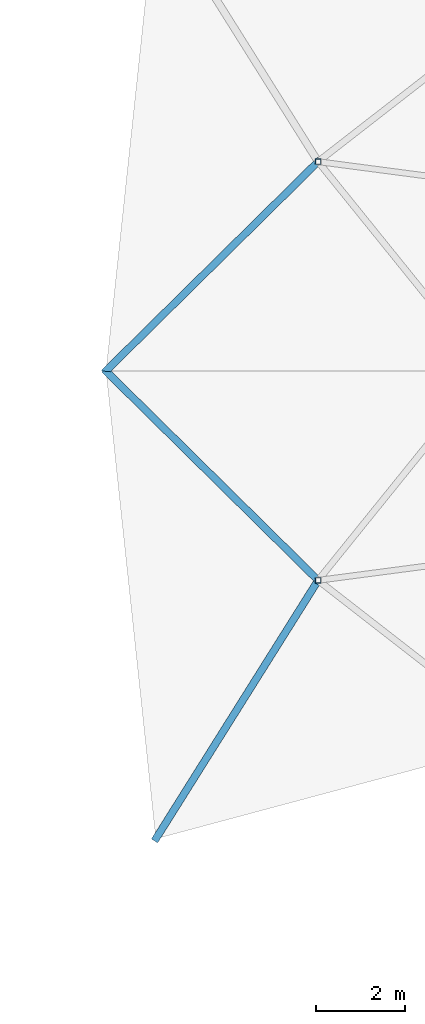
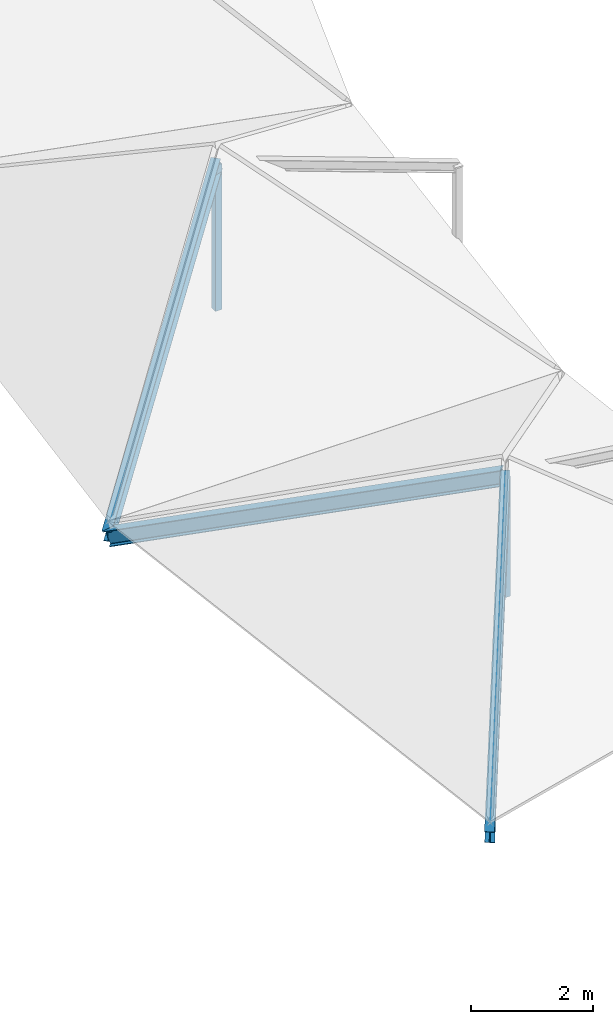
# One storey, part 11 of 66: 5 members.
"""IFC4 building model written with IfcOpenShell, lengths in metres."""

from ifc_helpers import new_model, si_unit, direction, frame, origin, origin_2d, place, context, subcontext, project, spatial, hollow_rectangle, i_section, extrude, material, material_profile, profile_set, type_object, element, save


model = new_model("IFC4")

# Units and contexts
model_context = context("Model", 3, precision=1e-05, world=origin(), true_north=direction((0.0, 1.0)))
body_context = subcontext(model_context, "Body", "Model", "MODEL_VIEW")
ifc_project = project(units=[si_unit("LENGTHUNIT", "METRE"), si_unit("AREAUNIT", "SQUARE_METRE"), si_unit("VOLUMEUNIT", "CUBIC_METRE"), si_unit("PLANEANGLEUNIT", "RADIAN"), si_unit("MASSUNIT", "GRAM", prefix="KILO")], contexts=[model_context])

# Site, building, storey
site_placement = place(None, origin())
site = spatial("IfcSite", under=ifc_project, at=site_placement, CompositionType="ELEMENT")
building_placement = place(site_placement, origin())
building = spatial("IfcBuilding", under=site, at=building_placement, Name="Karori Crest Natural Sciences Institute", CompositionType="ELEMENT")
storey_placement = place(building_placement, frame((0.0, 0.0, 30.10009765625)))
storey = spatial("IfcBuildingStorey", under=building, at=storey_placement, Name="L07", CompositionType="ELEMENT", Elevation=30.10009765625)

# Members
ifc_material_1 = material(Name="Structural steel AS/NZS 3679.1 Grade 350", Category="steel")
ifc_material_profile_1 = material_profile(ifc_material_1, i_section(OverallWidth=0.166015625, OverallDepth=0.306884765625, WebThickness=0.006591796875, FlangeThickness=0.01171875, FilletRadius=0.010986328125, at=origin_2d()), Name="310UB46.2")
ifc_profile_set_1 = profile_set([ifc_material_profile_1], Name="Structural steel AS/NZS 3679.1 Grade 350")
member_type_1 = type_object("IfcMemberType", Name="MT-06", PredefinedType="RAFTER", material=ifc_profile_set_1)
member_1_placement = place(storey_placement, frame((33.39990234375, 49.89990234375, -0.260009765625), z_axis=(0.652792398258, 0.64387374192, 0.399109871141), x_axis=(-0.702226588399, 0.711953522743, 0.0)))
element("IfcMember", 1, at=member_1_placement, inside=storey, type_object=member_type_1, Name="Member M-0109", PredefinedType="RAFTER", context=body_context, shape_type="SweptSolid", body=[
    extrude(i_section(OverallWidth=0.166015625, OverallDepth=0.306884765625, WebThickness=0.006591796875, FlangeThickness=0.01171875, FilletRadius=0.010986328125, at=origin_2d()), origin(), (0.0, 0.0, 1.0), 7.336181640625),
])
member_2_placement = place(storey_placement, frame((33.39990234375, 49.89990234375, -0.260009765625), z_axis=(0.670284307568, -0.661092500944, 0.33715820059), x_axis=(0.702208190803, 0.711971668516, 0.0)))
element("IfcMember", 2, at=member_2_placement, inside=storey, type_object=member_type_1, Name="Member M-0115", PredefinedType="RAFTER", context=body_context, shape_type="SweptSolid", body=[
    extrude(i_section(OverallWidth=0.166015625, OverallDepth=0.306884765625, WebThickness=0.006591796875, FlangeThickness=0.01171875, FilletRadius=0.010986328125, at=origin_2d()), origin(), (0.0, 0.0, 1.0), 7.144775390625),
])
member_3_placement = place(storey_placement, frame((34.5244140625, 39.340087890625, -0.260009765625), z_axis=(0.501966088797, 0.799467109845, 0.329973311003), x_axis=(-0.846901861547, 0.531749223702, 0.0)))
element("IfcMember", 3, at=member_3_placement, inside=storey, type_object=member_type_1, Name="Member M-0116", PredefinedType="RAFTER", context=body_context, shape_type="SweptSolid", body=[
    extrude(i_section(OverallWidth=0.166015625, OverallDepth=0.306884765625, WebThickness=0.006591796875, FlangeThickness=0.01171875, FilletRadius=0.010986328125, at=origin_2d()), origin(), (0.0, 0.0, 1.0), 7.30029296875),
])
ifc_material_2 = material(Name="Hollow structural steel AS/NZS 1163 Grade C350", Category="steel")
ifc_material_profile_2 = material_profile(ifc_material_2, hollow_rectangle(XDim=0.125, YDim=0.125, WallThickness=0.006103515625, at=origin_2d()), Name="SHS125x125x6")
ifc_profile_set_2 = profile_set([ifc_material_profile_2], Name="Hollow structural steel AS/NZS 1163 Grade C350")
member_type_2 = type_object("IfcMemberType", Name="MT-20", PredefinedType="STRUT", material=ifc_profile_set_2)
member_4_placement = place(storey_placement, frame((38.18896484375, 54.62353515625, -0.2451171875), z_axis=(0.0, 0.0, 1.0), x_axis=(1.0, 0.0, 0.0)))
element("IfcMember", 4, at=member_4_placement, inside=storey, type_object=member_type_2, Name="Member M-0106", PredefinedType="STRUT", context=body_context, shape_type="SweptSolid", body=[
    extrude(hollow_rectangle(XDim=0.125, YDim=0.125, WallThickness=0.006103515625, at=origin_2d()), origin(), (0.0, 0.0, 1.0), 2.9130859375),
])
member_5_placement = place(storey_placement, frame((38.18896484375, 45.176513671875, -0.2451171875), z_axis=(0.0, 0.0, 1.0), x_axis=(1.0, 0.0, 0.0)))
element("IfcMember", 5, at=member_5_placement, inside=storey, type_object=member_type_2, Name="Member M-0113", PredefinedType="STRUT", context=body_context, shape_type="SweptSolid", body=[
    extrude(hollow_rectangle(XDim=0.125, YDim=0.125, WallThickness=0.006103515625, at=origin_2d()), origin(), (0.0, 0.0, 1.0), 2.39404296875),
])

save(model, "model.ifc")
